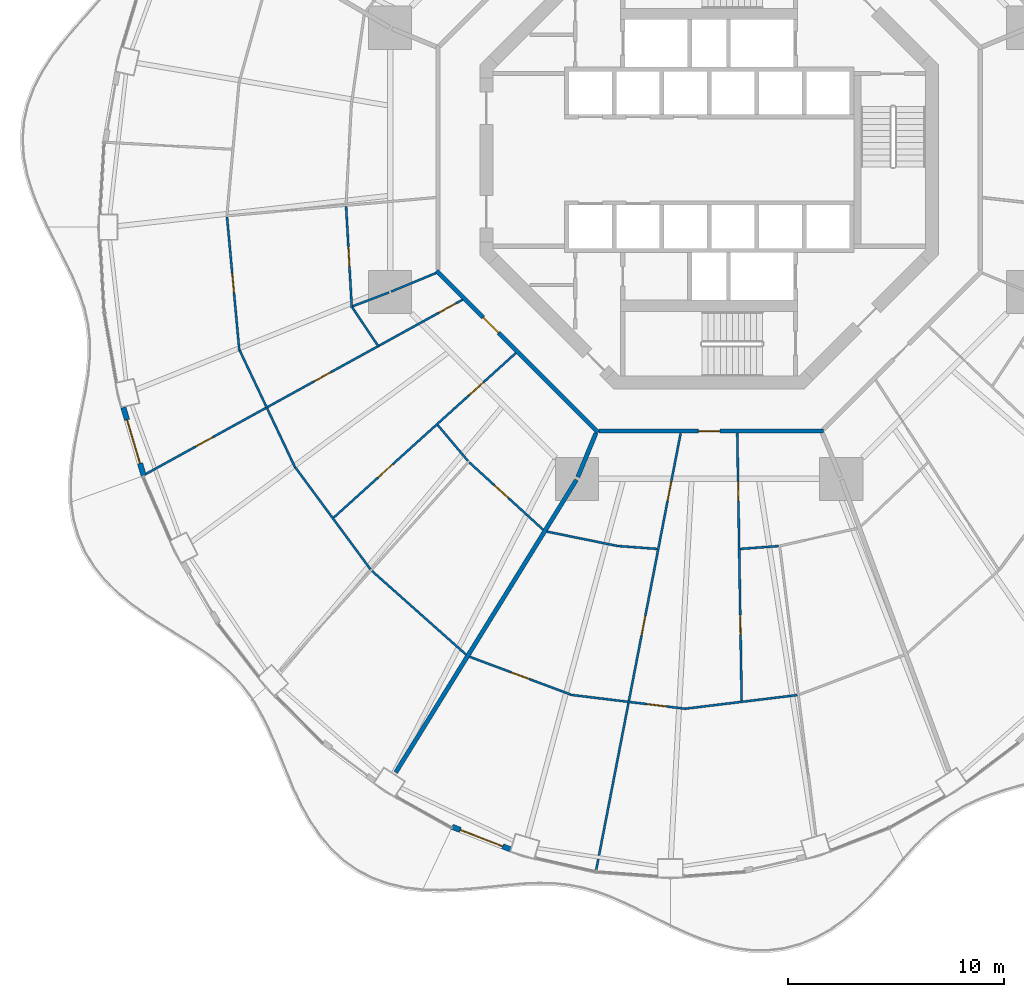
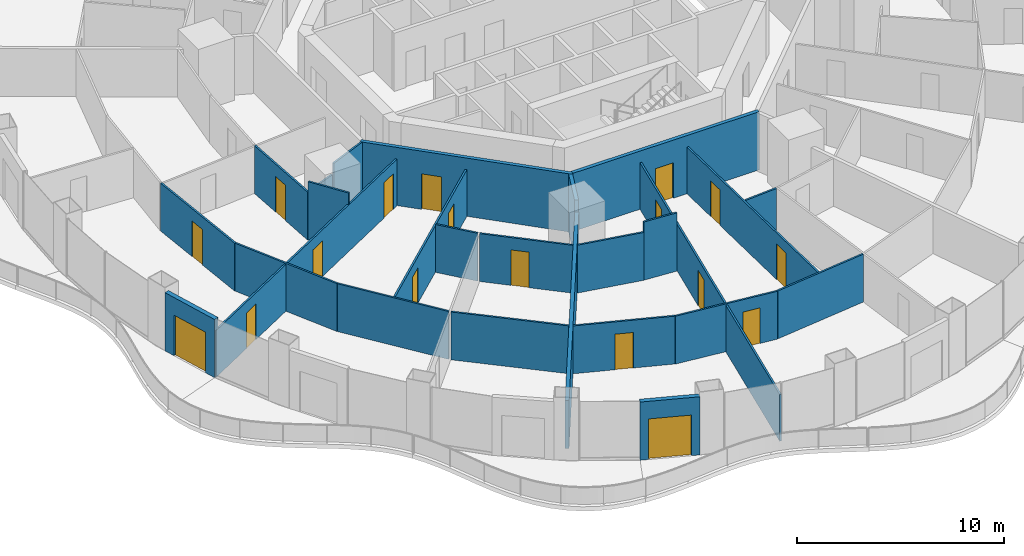
# One storey, part 12 of 20: 26 walls, 18 doors, 18 openings.
"""IFC4 building model written with IfcOpenShell, lengths in metres."""

from ifc_helpers import new_model, si_unit, direction, frame, frame_2d, origin, place, context, subcontext, project, spatial, rectangle, extrude, material, layer, layer_set, type_object, element, fill, save


model = new_model("IFC4")

# Units and contexts
model_context = context("Model", 3, precision=1e-05, world=origin(), true_north=direction((0.0, 1.0)))
body_context = subcontext(model_context, "Body", "Model", "MODEL_VIEW")
ifc_project = project(units=[si_unit("LENGTHUNIT", "METRE"), si_unit("AREAUNIT", "SQUARE_METRE"), si_unit("VOLUMEUNIT", "CUBIC_METRE"), si_unit("PLANEANGLEUNIT", "RADIAN"), si_unit("MASSUNIT", "GRAM", prefix="KILO")], contexts=[model_context])

# Site, building, storey
site_placement = place(None, origin())
site = spatial("IfcSite", under=ifc_project, at=site_placement, CompositionType="ELEMENT")
building_placement = place(site_placement, origin())
building = spatial("IfcBuilding", under=site, at=building_placement, Name="Nagisa Residences", CompositionType="ELEMENT")
storey_placement = place(building_placement, frame((0.0, 0.0, 130.699951171875)))
storey = spatial("IfcBuildingStorey", under=building, at=storey_placement, Name="L32", CompositionType="ELEMENT", Elevation=130.699951171875)

# Walls
ifc_material_1 = material(Name="Gypsum board on steel studs", Category="steel")
ifc_layer_1 = layer(ifc_material_1, 0.199951171875)
ifc_layer_set_1 = layer_set([ifc_layer_1], Name="Apartment compartment wall EI60 200")
wall_type_1 = type_object("IfcWallType", Name="Apartment compartment wall EI60 200", PredefinedType="PARTITIONING", material=ifc_layer_set_1)
wall_1_placement = place(storey_placement, frame((-5.24267578125, -12.6572265625, 0.0), z_axis=(0.0, 0.0, 1.0), x_axis=(-0.382818775282, -0.923823460025, 0.0)))
element("IfcWall", 1, at=wall_1_placement, inside=storey, type_object=wall_type_1, Name="wall:L32:u06", PredefinedType="PARTITIONING", context=body_context, shape_type="SweptSolid", body=[
    extrude(rectangle(XDim=2.200927734375, YDim=0.199951171875, at=frame_2d((1.1005859375, 0.0))), origin(), (0.0, 0.0, 1.0), 3.43994140625),
])
wall_2_placement = place(storey_placement, frame((-6.149169921875, -14.82470703125, 0.0), z_axis=(0.0, 0.0, 1.0), x_axis=(-0.525406383516, -0.85085141603, 0.0)))
element("IfcWall", 2, at=wall_2_placement, inside=storey, type_object=wall_type_1, Name="wall:L32:u07", PredefinedType="PARTITIONING", context=body_context, shape_type="SweptSolid", body=[
    extrude(rectangle(XDim=15.9248046875, YDim=0.199951171875, at=frame_2d((7.96240234375, 0.0))), origin(), (0.0, 0.0, 1.0), 2.828125),
])

# Wall, opening, door
ifc_material_2 = material(Name="Gypsum board on steel studs", Category="steel")
ifc_layer_2 = layer(ifc_material_2, 0.199951171875)
ifc_layer_set_2 = layer_set([ifc_layer_2], Name="Apartment entry wall EI60 200")
wall_type_2 = type_object("IfcWallType", Name="Apartment entry wall EI60 200", PredefinedType="PARTITIONING", material=ifc_layer_set_2)
wall_3_placement = place(storey_placement, frame((-12.635498046875, -5.1337890625, 0.0), z_axis=(0.0, 0.0, 1.0), x_axis=(0.707106781187, -0.707106781187, 0.0)))
wall_3 = element("IfcWall", 3, at=wall_3_placement, inside=storey, type_object=wall_type_2, Name="wall:L32:u15", PredefinedType="PARTITIONING", context=body_context, shape_type="SweptSolid", body=[
    extrude(rectangle(XDim=10.609130859375, YDim=0.199951171875, at=frame_2d((5.3046875, 0.0))), origin(), (0.0, 0.0, 1.0), 3.43994140625),
])
opening_1_placement = place(wall_3_placement, frame((3.069580078125, 0.0, 0.0)))
opening_1 = element("IfcOpeningElement", 4, at=opening_1_placement, cuts=wall_3, Name="Opening L32-U09", PredefinedType="OPENING", context=body_context, shape_type="SweptSolid", body=[
    extrude(rectangle(XDim=1.0, YDim=2.10009765625, at=frame_2d((0.5, 1.050048828125))), frame((0.0, 0.10986328125, 0.0), z_axis=(0.0, -1.0, 0.0), x_axis=(1.0, 0.0, 0.0)), (0.0, 0.0, 1.0), 0.219970703125),
])
ifc_material_3 = material(Name="Timber fire door set", Category="wood")
door_type_1 = type_object("IfcDoorType", Name="Apartment entry door FD30S 1000x2100", OperationType="NOTDEFINED", PredefinedType="DOOR", material=ifc_material_3)
door_1_placement = place(opening_1_placement, frame((1.0, 0.0, 0.0), x_axis=(-1.0, 0.0, 0.0)))
door_1 = element("IfcDoor", 5, at=door_1_placement, inside=storey, type_object=door_type_1, Name="Entry door, Apartment 32B", OperationType="SINGLE_SWING_RIGHT", OverallHeight=2.10009765625, OverallWidth=1.0, PredefinedType="DOOR", context=body_context, shape_type="SweptSolid", body=[
    extrude(rectangle(XDim=1.0, YDim=2.10009765625, at=frame_2d((0.5, 1.050048828125))), frame((0.0, 0.02490234375, 0.0), z_axis=(0.0, -1.0, 0.0), x_axis=(1.0, 0.0, 0.0)), (0.0, 0.0, 1.0), 0.050048828125),
])
fill(opening_1, door_1)

wall_4_placement = place(storey_placement, frame((-5.1044921875, -12.564697265625, 0.0), z_axis=(0.0, 0.0, 1.0), x_axis=(1.0, 0.0, 0.0)))
wall_4 = element("IfcWall", 6, at=wall_4_placement, inside=storey, type_object=wall_type_2, Name="wall:L32:u16", PredefinedType="PARTITIONING", context=body_context, shape_type="SweptSolid", body=[
    extrude(rectangle(XDim=10.408935546875, YDim=0.199951171875, at=frame_2d((5.20458984375, 0.0))), origin(), (0.0, 0.0, 1.0), 3.43994140625),
])
opening_2_placement = place(wall_4_placement, frame((4.6044921875, 0.0, 0.0)))
opening_2 = element("IfcOpeningElement", 7, at=opening_2_placement, cuts=wall_4, Name="Opening L32-U22", PredefinedType="OPENING", context=body_context, shape_type="SweptSolid", body=[
    extrude(rectangle(XDim=1.0, YDim=2.10009765625, at=frame_2d((0.5, 1.050048828125))), frame((0.0, 0.10986328125, 0.0), z_axis=(0.0, -1.0, 0.0), x_axis=(1.0, 0.0, 0.0)), (0.0, 0.0, 1.0), 0.219970703125),
])
door_2_placement = place(opening_2_placement, frame((1.0, 0.0, 0.0), x_axis=(-1.0, 0.0, 0.0)))
door_2 = element("IfcDoor", 8, at=door_2_placement, inside=storey, type_object=door_type_1, Name="Entry door, Apartment 32C", OperationType="SINGLE_SWING_LEFT", OverallHeight=2.10009765625, OverallWidth=1.0, PredefinedType="DOOR", context=body_context, shape_type="SweptSolid", body=[
    extrude(rectangle(XDim=1.0, YDim=2.10009765625, at=frame_2d((0.5, 1.050048828125))), frame((0.0, 0.02490234375, 0.0), z_axis=(0.0, -1.0, 0.0), x_axis=(1.0, 0.0, 0.0)), (0.0, 0.0, 1.0), 0.050048828125),
])
fill(opening_2, door_2)

ifc_material_4 = material(Name="Gypsum board on steel studs", Category="steel")
ifc_layer_3 = layer(ifc_material_4, 0.10009765625)
ifc_layer_set_3 = layer_set([ifc_layer_3], Name="Apartment partition 100")
wall_type_3 = type_object("IfcWallType", Name="Apartment partition 100", PredefinedType="PARTITIONING", material=ifc_layer_set_3)
wall_5_placement = place(storey_placement, frame((-16.81982421875, -2.158203125, 0.0), z_axis=(0.0, 0.0, 1.0), x_axis=(0.055967931845, -0.998432566879, 0.0)))
wall_5 = element("IfcWall", 9, at=wall_5_placement, inside=storey, type_object=wall_type_3, Name="wall:L32:u57", PredefinedType="PARTITIONING", context=body_context, shape_type="SweptSolid", body=[
    extrude(rectangle(XDim=4.697998046875, YDim=0.10009765625, at=frame_2d((2.34912109375, 0.0))), origin(), (0.0, 0.0, 1.0), 2.828125),
])
opening_3_placement = place(wall_5_placement, frame((1.8740234375, 0.0, 0.0)))
opening_3 = element("IfcOpeningElement", 10, at=opening_3_placement, cuts=wall_5, Name="Opening L32-U18", PredefinedType="OPENING", context=body_context, shape_type="SweptSolid", body=[
    extrude(rectangle(XDim=0.89990234375, YDim=2.10009765625, at=frame_2d((0.449951171875, 1.050048828125))), frame((0.0, 0.06005859375, 0.0), z_axis=(0.0, -1.0, 0.0), x_axis=(1.0, 0.0, 0.0)), (0.0, 0.0, 1.0), 0.1201171875),
])
ifc_material_5 = material(Name="Timber door set", Category="wood")
door_type_2 = type_object("IfcDoorType", Name="Apartment door 900x2100", OperationType="NOTDEFINED", PredefinedType="DOOR", material=ifc_material_5)
door_3_placement = place(opening_3_placement, origin())
door_3 = element("IfcDoor", 11, at=door_3_placement, inside=storey, type_object=door_type_2, Name="Door to store, Apartment 32B", OperationType="SINGLE_SWING_RIGHT", OverallHeight=2.10009765625, OverallWidth=0.89990234375, PredefinedType="DOOR", context=body_context, shape_type="SweptSolid", body=[
    extrude(rectangle(XDim=0.89990234375, YDim=2.10009765625, at=frame_2d((0.449951171875, 1.050048828125))), frame((0.0, 0.02490234375, 0.0), z_axis=(0.0, -1.0, 0.0), x_axis=(1.0, 0.0, 0.0)), (0.0, 0.0, 1.0), 0.050048828125),
])
fill(opening_3, door_3)

wall_6_placement = place(storey_placement, frame((-22.337646484375, -2.64208984375, 0.0), z_axis=(0.0, 0.0, 1.0), x_axis=(0.091768304523, -0.995780386574, 0.0)))
wall_6 = element("IfcWall", 12, at=wall_6_placement, inside=storey, type_object=wall_type_3, Name="wall:L32:u58", PredefinedType="PARTITIONING", context=body_context, shape_type="SweptSolid", body=[
    extrude(rectangle(XDim=6.214599609375, YDim=0.10009765625, at=frame_2d((3.107421875, 0.0))), origin(), (0.0, 0.0, 1.0), 2.828125),
])
opening_4_placement = place(wall_6_placement, frame((2.63232421875, 0.0, 0.0)))
opening_4 = element("IfcOpeningElement", 13, at=opening_4_placement, cuts=wall_6, Name="Opening L32-U15", PredefinedType="OPENING", context=body_context, shape_type="SweptSolid", body=[
    extrude(rectangle(XDim=0.89990234375, YDim=2.10009765625, at=frame_2d((0.449951171875, 1.050048828125))), frame((0.0, 0.06005859375, 0.0), z_axis=(0.0, -1.0, 0.0), x_axis=(1.0, 0.0, 0.0)), (0.0, 0.0, 1.0), 0.1201171875),
])
door_4_placement = place(opening_4_placement, frame((0.89990234375, 0.0, 0.0), x_axis=(-1.0, 0.0, 0.0)))
door_4 = element("IfcDoor", 14, at=door_4_placement, inside=storey, type_object=door_type_2, Name="Door to family room, Apartment 32B", OperationType="SINGLE_SWING_RIGHT", OverallHeight=2.10009765625, OverallWidth=0.89990234375, PredefinedType="DOOR", context=body_context, shape_type="SweptSolid", body=[
    extrude(rectangle(XDim=0.89990234375, YDim=2.10009765625, at=frame_2d((0.449951171875, 1.050048828125))), frame((0.0, 0.02490234375, 0.0), z_axis=(0.0, -1.0, 0.0), x_axis=(1.0, 0.0, 0.0)), (0.0, 0.0, 1.0), 0.050048828125),
])
fill(opening_4, door_4)

# Walls
wall_7_placement = place(storey_placement, frame((-12.6572265625, -5.24267578125, 0.0), z_axis=(0.0, 0.0, 1.0), x_axis=(-0.923864733477, -0.382719158442, 0.0)))
element("IfcWall", 15, at=wall_7_placement, inside=storey, type_object=wall_type_3, Name="wall:L32:u59", PredefinedType="PARTITIONING", context=body_context, shape_type="SweptSolid", body=[
    extrude(rectangle(XDim=2.25, YDim=0.10009765625, at=frame_2d((1.125, 0.0))), origin(), (0.0, 0.0, 1.0), 3.43994140625),
])
wall_8_placement = place(storey_placement, frame((-14.828857421875, -6.140625, 0.0), z_axis=(0.0, 0.0, 1.0), x_axis=(-0.934704367514, -0.355426146128, 0.0)))
element("IfcWall", 16, at=wall_8_placement, inside=storey, type_object=wall_type_3, Name="wall:L32:u60", PredefinedType="PARTITIONING", context=body_context, shape_type="SweptSolid", body=[
    extrude(rectangle(XDim=1.8017578125, YDim=0.10009765625, at=frame_2d((0.90087890625, 0.0))), origin(), (0.0, 0.0, 1.0), 2.828125),
])
wall_9_placement = place(storey_placement, frame((-16.53173828125, -6.84033203125, 0.0), z_axis=(0.0, 0.0, 1.0), x_axis=(0.556994773624, -0.830515997531, 0.0)))
element("IfcWall", 17, at=wall_9_placement, inside=storey, type_object=wall_type_3, Name="wall:L32:u61", PredefinedType="PARTITIONING", context=body_context, shape_type="SweptSolid", body=[
    extrude(rectangle(XDim=2.183349609375, YDim=0.10009765625, at=frame_2d((1.091796875, 0.0))), origin(), (0.0, 0.0, 1.0), 3.43994140625),
])
wall_10_placement = place(storey_placement, frame((-21.75048828125, -8.826171875, 0.0), z_axis=(0.0, 0.0, 1.0), x_axis=(0.427736419988, -0.903903509793, 0.0)))
element("IfcWall", 18, at=wall_10_placement, inside=storey, type_object=wall_type_3, Name="wall:L32:u62", PredefinedType="PARTITIONING", context=body_context, shape_type="SweptSolid", body=[
    extrude(rectangle(XDim=5.998779296875, YDim=0.10009765625, at=frame_2d((2.99951171875, 0.0))), origin(), (0.0, 0.0, 1.0), 2.828125),
])

# Wall, openings, doors
wall_11_placement = place(storey_placement, frame((-11.42578125, -6.4794921875, 0.0), z_axis=(0.0, 0.0, 1.0), x_axis=(-0.876110392495, -0.482110547657, 0.0)))
wall_11 = element("IfcWall", 19, at=wall_11_placement, inside=storey, type_object=wall_type_3, Name="wall:L32:u63", PredefinedType="PARTITIONING", context=body_context, shape_type="SweptSolid", body=[
    extrude(rectangle(XDim=16.954833984375, YDim=0.10009765625, at=frame_2d((8.4775390625, 0.0))), origin(), (0.0, 0.0, 1.0), 2.756103515625),
])
opening_5_placement = place(wall_11_placement, frame((0.35009765625, 0.0, 0.0)))
opening_5 = element("IfcOpeningElement", 20, at=opening_5_placement, cuts=wall_11, Name="Opening L32-U10", PredefinedType="OPENING", context=body_context, shape_type="SweptSolid", body=[
    extrude(rectangle(XDim=0.89990234375, YDim=2.10009765625, at=frame_2d((0.449951171875, 1.050048828125))), frame((0.0, 0.06005859375, 0.0), z_axis=(0.0, -1.0, 0.0), x_axis=(1.0, 0.0, 0.0)), (0.0, 0.0, 1.0), 0.1201171875),
])
opening_6_placement = place(wall_11_placement, frame((6.956787109375, 0.0, 0.0)))
opening_6 = element("IfcOpeningElement", 21, at=opening_6_placement, cuts=wall_11, Name="Opening L32-U12", PredefinedType="OPENING", context=body_context, shape_type="SweptSolid", body=[
    extrude(rectangle(XDim=0.89990234375, YDim=2.10009765625, at=frame_2d((0.449951171875, 1.050048828125))), frame((0.0, 0.06005859375, 0.0), z_axis=(0.0, -1.0, 0.0), x_axis=(1.0, 0.0, 0.0)), (0.0, 0.0, 1.0), 0.1201171875),
])
opening_7_placement = place(wall_11_placement, frame((13.2060546875, 0.0, 0.0)))
opening_7 = element("IfcOpeningElement", 22, at=opening_7_placement, cuts=wall_11, Name="Opening L32-U16", PredefinedType="OPENING", context=body_context, shape_type="SweptSolid", body=[
    extrude(rectangle(XDim=0.89990234375, YDim=2.10009765625, at=frame_2d((0.449951171875, 1.050048828125))), frame((0.0, 0.06005859375, 0.0), z_axis=(0.0, -1.0, 0.0), x_axis=(1.0, 0.0, 0.0)), (0.0, 0.0, 1.0), 0.1201171875),
])
door_5_placement = place(opening_5_placement, frame((0.89990234375, 0.0, 0.0), x_axis=(-1.0, 0.0, 0.0)))
door_5 = element("IfcDoor", 23, at=door_5_placement, inside=storey, type_object=door_type_2, Name="Door to family bathroom, Apartment 32B", OperationType="SINGLE_SWING_LEFT", OverallHeight=2.10009765625, OverallWidth=0.89990234375, PredefinedType="DOOR", context=body_context, shape_type="SweptSolid", body=[
    extrude(rectangle(XDim=0.89990234375, YDim=2.10009765625, at=frame_2d((0.449951171875, 1.050048828125))), frame((0.0, 0.02490234375, 0.0), z_axis=(0.0, -1.0, 0.0), x_axis=(1.0, 0.0, 0.0)), (0.0, 0.0, 1.0), 0.050048828125),
])
fill(opening_5, door_5)
door_6_placement = place(opening_6_placement, frame((0.89990234375, 0.0, 0.0), x_axis=(-1.0, 0.0, 0.0)))
door_6 = element("IfcDoor", 24, at=door_6_placement, inside=storey, type_object=door_type_2, Name="Door to kitchen, Apartment 32B", OperationType="SINGLE_SWING_LEFT", OverallHeight=2.10009765625, OverallWidth=0.89990234375, PredefinedType="DOOR", context=body_context, shape_type="SweptSolid", body=[
    extrude(rectangle(XDim=0.89990234375, YDim=2.10009765625, at=frame_2d((0.449951171875, 1.050048828125))), frame((0.0, 0.02490234375, 0.0), z_axis=(0.0, -1.0, 0.0), x_axis=(1.0, 0.0, 0.0)), (0.0, 0.0, 1.0), 0.050048828125),
])
fill(opening_6, door_6)
door_7_placement = place(opening_7_placement, origin())
door_7 = element("IfcDoor", 25, at=door_7_placement, inside=storey, type_object=door_type_2, Name="Door to dining room, Apartment 32B", OperationType="SINGLE_SWING_RIGHT", OverallHeight=2.10009765625, OverallWidth=0.89990234375, PredefinedType="DOOR", context=body_context, shape_type="SweptSolid", body=[
    extrude(rectangle(XDim=0.89990234375, YDim=2.10009765625, at=frame_2d((0.449951171875, 1.050048828125))), frame((0.0, 0.02490234375, 0.0), z_axis=(0.0, -1.0, 0.0), x_axis=(1.0, 0.0, 0.0)), (0.0, 0.0, 1.0), 0.050048828125),
])
fill(opening_7, door_7)

# Wall
wall_12_placement = place(storey_placement, frame((-19.17626953125, -14.24365234375, 0.0), z_axis=(0.0, 0.0, 1.0), x_axis=(0.593532053206, -0.80481035146, 0.0)))
element("IfcWall", 26, at=wall_12_placement, inside=storey, type_object=wall_type_3, Name="wall:L32:u64", PredefinedType="PARTITIONING", context=body_context, shape_type="SweptSolid", body=[
    extrude(rectangle(XDim=5.8759765625, YDim=0.10009765625, at=frame_2d((2.93798828125, 0.0))), origin(), (0.0, 0.0, 1.0), 2.828125),
])

# Wall, openings, doors
wall_13_placement = place(storey_placement, frame((-8.958740234375, -8.95166015625, 0.0), z_axis=(0.0, 0.0, 1.0), x_axis=(-0.741982736283, -0.670418987692, 0.0)))
wall_13 = element("IfcWall", 27, at=wall_13_placement, inside=storey, type_object=wall_type_3, Name="wall:L32:u65", PredefinedType="PARTITIONING", context=body_context, shape_type="SweptSolid", body=[
    extrude(rectangle(XDim=11.37060546875, YDim=0.10009765625, at=frame_2d((5.685302734375, 0.0))), origin(), (0.0, 0.0, 1.0), 2.756103515625),
])
opening_8_placement = place(wall_13_placement, frame((2.008544921875, 0.0, 0.0)))
opening_8 = element("IfcOpeningElement", 28, at=opening_8_placement, cuts=wall_13, Name="Opening L32-U11", PredefinedType="OPENING", context=body_context, shape_type="SweptSolid", body=[
    extrude(rectangle(XDim=0.89990234375, YDim=2.10009765625, at=frame_2d((0.449951171875, 1.050048828125))), frame((0.0, 0.06005859375, 0.0), z_axis=(0.0, -1.0, 0.0), x_axis=(1.0, 0.0, 0.0)), (0.0, 0.0, 1.0), 0.1201171875),
])
opening_9_placement = place(wall_13_placement, frame((7.693603515625, 0.0, 0.0)))
opening_9 = element("IfcOpeningElement", 29, at=opening_9_placement, cuts=wall_13, Name="Opening L32-U13", PredefinedType="OPENING", context=body_context, shape_type="SweptSolid", body=[
    extrude(rectangle(XDim=0.89990234375, YDim=2.10009765625, at=frame_2d((0.449951171875, 1.050048828125))), frame((0.0, 0.06005859375, 0.0), z_axis=(0.0, -1.0, 0.0), x_axis=(1.0, 0.0, 0.0)), (0.0, 0.0, 1.0), 0.1201171875),
])
door_8_placement = place(opening_8_placement, origin())
door_8 = element("IfcDoor", 30, at=door_8_placement, inside=storey, type_object=door_type_2, Name="Door to store, Apartment 32B", OperationType="SINGLE_SWING_LEFT", OverallHeight=2.10009765625, OverallWidth=0.89990234375, PredefinedType="DOOR", context=body_context, shape_type="SweptSolid", body=[
    extrude(rectangle(XDim=0.89990234375, YDim=2.10009765625, at=frame_2d((0.449951171875, 1.050048828125))), frame((0.0, 0.02490234375, 0.0), z_axis=(0.0, -1.0, 0.0), x_axis=(1.0, 0.0, 0.0)), (0.0, 0.0, 1.0), 0.050048828125),
])
fill(opening_8, door_8)
door_9_placement = place(opening_9_placement, origin())
door_9 = element("IfcDoor", 31, at=door_9_placement, inside=storey, type_object=door_type_2, Name="Door to family bathroom, Apartment 32B", OperationType="SINGLE_SWING_LEFT", OverallHeight=2.10009765625, OverallWidth=0.89990234375, PredefinedType="DOOR", context=body_context, shape_type="SweptSolid", body=[
    extrude(rectangle(XDim=0.89990234375, YDim=2.10009765625, at=frame_2d((0.449951171875, 1.050048828125))), frame((0.0, 0.02490234375, 0.0), z_axis=(0.0, -1.0, 0.0), x_axis=(1.0, 0.0, 0.0)), (0.0, 0.0, 1.0), 0.050048828125),
])
fill(opening_9, door_9)

# Wall
wall_14_placement = place(storey_placement, frame((-12.574951171875, -12.286376953125, 0.0), z_axis=(0.0, 0.0, 1.0), x_axis=(0.644052758448, -0.764981074495, 0.0)))
element("IfcWall", 32, at=wall_14_placement, inside=storey, type_object=wall_type_3, Name="wall:L32:u66", PredefinedType="PARTITIONING", context=body_context, shape_type="SweptSolid", body=[
    extrude(rectangle(XDim=2.17431640625, YDim=0.10009765625, at=frame_2d((1.087158203125, 0.0))), origin(), (0.0, 0.0, 1.0), 2.828125),
])

# Wall, opening, door
wall_15_placement = place(storey_placement, frame((-11.10546875, -14.021484375, 0.0), z_axis=(0.0, 0.0, 1.0), x_axis=(0.738880014758, -0.673837015747, 0.0)))
wall_15 = element("IfcWall", 33, at=wall_15_placement, inside=storey, type_object=wall_type_3, Name="wall:L32:u68", PredefinedType="PARTITIONING", context=body_context, shape_type="SweptSolid", body=[
    extrude(rectangle(XDim=4.62060546875, YDim=0.10009765625, at=frame_2d((2.310302734375, 0.0))), origin(), (0.0, 0.0, 1.0), 2.828125),
])
opening_10_placement = place(wall_15_placement, frame((1.55810546875, 0.0, 0.0)))
opening_10 = element("IfcOpeningElement", 34, at=opening_10_placement, cuts=wall_15, Name="Opening L32-U14", PredefinedType="OPENING", context=body_context, shape_type="SweptSolid", body=[
    extrude(rectangle(XDim=0.89990234375, YDim=2.10009765625, at=frame_2d((0.449951171875, 1.050048828125))), frame((0.0, 0.06005859375, 0.0), z_axis=(0.0, -1.0, 0.0), x_axis=(1.0, 0.0, 0.0)), (0.0, 0.0, 1.0), 0.1201171875),
])
door_10_placement = place(opening_10_placement, frame((0.89990234375, 0.0, 0.0), x_axis=(-1.0, 0.0, 0.0)))
door_10 = element("IfcDoor", 35, at=door_10_placement, inside=storey, type_object=door_type_2, Name="Door to dining room, Apartment 32B", OperationType="SINGLE_SWING_LEFT", OverallHeight=2.10009765625, OverallWidth=0.89990234375, PredefinedType="DOOR", context=body_context, shape_type="SweptSolid", body=[
    extrude(rectangle(XDim=0.89990234375, YDim=2.10009765625, at=frame_2d((0.449951171875, 1.050048828125))), frame((0.0, 0.02490234375, 0.0), z_axis=(0.0, -1.0, 0.0), x_axis=(1.0, 0.0, 0.0)), (0.0, 0.0, 1.0), 0.050048828125),
])
fill(opening_10, door_10)

# Walls
wall_16_placement = place(storey_placement, frame((-15.621826171875, -19.046142578125, 0.0), z_axis=(0.0, 0.0, 1.0), x_axis=(0.747342322463, -0.664439201925, 0.0)))
element("IfcWall", 36, at=wall_16_placement, inside=storey, type_object=wall_type_3, Name="wall:L32:u69", PredefinedType="PARTITIONING", context=body_context, shape_type="SweptSolid", body=[
    extrude(rectangle(XDim=5.830810546875, YDim=0.10009765625, at=frame_2d((2.91552734375, 0.0))), origin(), (0.0, 0.0, 1.0), 2.828125),
])
wall_17_placement = place(storey_placement, frame((-7.51953125, -17.222412109375, 0.0), z_axis=(0.0, 0.0, 1.0), x_axis=(0.979964966792, -0.199169937141, 0.0)))
element("IfcWall", 37, at=wall_17_placement, inside=storey, type_object=wall_type_3, Name="wall:L32:u70", PredefinedType="PARTITIONING", context=body_context, shape_type="SweptSolid", body=[
    extrude(rectangle(XDim=3.396728515625, YDim=0.10009765625, at=frame_2d((1.6982421875, 0.0))), origin(), (0.0, 0.0, 1.0), 2.828125),
])

# Wall, opening, door
wall_18_placement = place(storey_placement, frame((-11.095703125, -23.02197265625, 0.0), z_axis=(0.0, 0.0, 1.0), x_axis=(0.936725688471, -0.350064257758, 0.0)))
wall_18 = element("IfcWall", 38, at=wall_18_placement, inside=storey, type_object=wall_type_3, Name="wall:L32:u71", PredefinedType="PARTITIONING", context=body_context, shape_type="SweptSolid", body=[
    extrude(rectangle(XDim=5.002685546875, YDim=0.10009765625, at=frame_2d((2.50146484375, 0.0))), origin(), (0.0, 0.0, 1.0), 2.828125),
])
opening_11_placement = place(wall_18_placement, frame((2.05126953125, 0.0, 0.0)))
opening_11 = element("IfcOpeningElement", 39, at=opening_11_placement, cuts=wall_18, Name="Opening L32-U28", PredefinedType="OPENING", context=body_context, shape_type="SweptSolid", body=[
    extrude(rectangle(XDim=0.89990234375, YDim=2.10009765625, at=frame_2d((0.449951171875, 1.050048828125))), frame((0.0, 0.06005859375, 0.0), z_axis=(0.0, -1.0, 0.0), x_axis=(1.0, 0.0, 0.0)), (0.0, 0.0, 1.0), 0.1201171875),
])
door_11_placement = place(opening_11_placement, frame((0.89990234375, 0.0, 0.0), x_axis=(-1.0, 0.0, 0.0)))
door_11 = element("IfcDoor", 40, at=door_11_placement, inside=storey, type_object=door_type_2, Name="Door to dining room, Apartment 32C", OperationType="SINGLE_SWING_LEFT", OverallHeight=2.10009765625, OverallWidth=0.89990234375, PredefinedType="DOOR", context=body_context, shape_type="SweptSolid", body=[
    extrude(rectangle(XDim=0.89990234375, YDim=2.10009765625, at=frame_2d((0.449951171875, 1.050048828125))), frame((0.0, 0.02490234375, 0.0), z_axis=(0.0, -1.0, 0.0), x_axis=(1.0, 0.0, 0.0)), (0.0, 0.0, 1.0), 0.050048828125),
])
fill(opening_11, door_11)

# Wall
wall_19_placement = place(storey_placement, frame((-4.190185546875, -17.892578125, 0.0), z_axis=(0.0, 0.0, 1.0), x_axis=(0.99727037024, -0.07383636395, 0.0)))
element("IfcWall", 41, at=wall_19_placement, inside=storey, type_object=wall_type_3, Name="wall:L32:u72", PredefinedType="PARTITIONING", context=body_context, shape_type="SweptSolid", body=[
    extrude(rectangle(XDim=1.7822265625, YDim=0.10009765625, at=frame_2d((0.89111328125, 0.0))), origin(), (0.0, 0.0, 1.0), 3.43994140625),
])

# Wall, opening, door
wall_20_placement = place(storey_placement, frame((-6.41259765625, -24.784423828125, 0.0), z_axis=(0.0, 0.0, 1.0), x_axis=(0.99268660964, -0.120719903255, 0.0)))
wall_20 = element("IfcWall", 42, at=wall_20_placement, inside=storey, type_object=wall_type_3, Name="wall:L32:u73", PredefinedType="PARTITIONING", context=body_context, shape_type="SweptSolid", body=[
    extrude(rectangle(XDim=5.385498046875, YDim=0.10009765625, at=frame_2d((2.69287109375, 0.0))), origin(), (0.0, 0.0, 1.0), 2.828125),
])
opening_12_placement = place(wall_20_placement, frame((3.564208984375, 0.0, 0.0)))
opening_12 = element("IfcOpeningElement", 43, at=opening_12_placement, cuts=wall_20, Name="Opening L32-U29", PredefinedType="OPENING", context=body_context, shape_type="SweptSolid", body=[
    extrude(rectangle(XDim=0.89990234375, YDim=2.10009765625, at=frame_2d((0.449951171875, 1.050048828125))), frame((0.0, 0.06005859375, 0.0), z_axis=(0.0, -1.0, 0.0), x_axis=(1.0, 0.0, 0.0)), (0.0, 0.0, 1.0), 0.1201171875),
])
door_12_placement = place(opening_12_placement, frame((0.89990234375, 0.0, 0.0), x_axis=(-1.0, 0.0, 0.0)))
door_12 = element("IfcDoor", 44, at=door_12_placement, inside=storey, type_object=door_type_2, Name="Door to living room, Apartment 32C", OperationType="SINGLE_SWING_RIGHT", OverallHeight=2.10009765625, OverallWidth=0.89990234375, PredefinedType="DOOR", context=body_context, shape_type="SweptSolid", body=[
    extrude(rectangle(XDim=0.89990234375, YDim=2.10009765625, at=frame_2d((0.449951171875, 1.050048828125))), frame((0.0, 0.02490234375, 0.0), z_axis=(0.0, -1.0, 0.0), x_axis=(1.0, 0.0, 0.0)), (0.0, 0.0, 1.0), 0.050048828125),
])
fill(opening_12, door_12)

# Wall, openings, doors
wall_21_placement = place(storey_placement, frame((-1.320068359375, -12.662841796875, 0.0), z_axis=(0.0, 0.0, 1.0), x_axis=(-0.189865535907, -0.98181010296, 0.0)))
wall_21 = element("IfcWall", 45, at=wall_21_placement, inside=storey, type_object=wall_type_3, Name="wall:L32:u74", PredefinedType="PARTITIONING", context=body_context, shape_type="SweptSolid", body=[
    extrude(rectangle(XDim=20.729248046875, YDim=0.10009765625, at=frame_2d((10.36474609375, 0.0))), origin(), (0.0, 0.0, 1.0), 2.756103515625),
])
opening_13_placement = place(wall_21_placement, frame((2.28271484375, 0.0, 0.0)))
opening_13 = element("IfcOpeningElement", 46, at=opening_13_placement, cuts=wall_21, Name="Opening L32-U23", PredefinedType="OPENING", context=body_context, shape_type="SweptSolid", body=[
    extrude(rectangle(XDim=0.89990234375, YDim=2.10009765625, at=frame_2d((0.449951171875, 1.050048828125))), frame((0.0, 0.06005859375, 0.0), z_axis=(0.0, -1.0, 0.0), x_axis=(1.0, 0.0, 0.0)), (0.0, 0.0, 1.0), 0.1201171875),
])
opening_14_placement = place(wall_21_placement, frame((8.622314453125, 0.0, 0.0)))
opening_14 = element("IfcOpeningElement", 47, at=opening_14_placement, cuts=wall_21, Name="Opening L32-U25", PredefinedType="OPENING", context=body_context, shape_type="SweptSolid", body=[
    extrude(rectangle(XDim=0.89990234375, YDim=2.10009765625, at=frame_2d((0.449951171875, 1.050048828125))), frame((0.0, 0.06005859375, 0.0), z_axis=(0.0, -1.0, 0.0), x_axis=(1.0, 0.0, 0.0)), (0.0, 0.0, 1.0), 0.1201171875),
])
door_13_placement = place(opening_13_placement, frame((0.89990234375, 0.0, 0.0), x_axis=(-1.0, 0.0, 0.0)))
door_13 = element("IfcDoor", 48, at=door_13_placement, inside=storey, type_object=door_type_2, Name="Door to store, Apartment 32C", OperationType="SINGLE_SWING_RIGHT", OverallHeight=2.10009765625, OverallWidth=0.89990234375, PredefinedType="DOOR", context=body_context, shape_type="SweptSolid", body=[
    extrude(rectangle(XDim=0.89990234375, YDim=2.10009765625, at=frame_2d((0.449951171875, 1.050048828125))), frame((0.0, 0.02490234375, 0.0), z_axis=(0.0, -1.0, 0.0), x_axis=(1.0, 0.0, 0.0)), (0.0, 0.0, 1.0), 0.050048828125),
])
fill(opening_13, door_13)
door_14_placement = place(opening_14_placement, frame((0.89990234375, 0.0, 0.0), x_axis=(-1.0, 0.0, 0.0)))
door_14 = element("IfcDoor", 49, at=door_14_placement, inside=storey, type_object=door_type_2, Name="Door to kitchen, Apartment 32C", OperationType="SINGLE_SWING_RIGHT", OverallHeight=2.10009765625, OverallWidth=0.89990234375, PredefinedType="DOOR", context=body_context, shape_type="SweptSolid", body=[
    extrude(rectangle(XDim=0.89990234375, YDim=2.10009765625, at=frame_2d((0.449951171875, 1.050048828125))), frame((0.0, 0.02490234375, 0.0), z_axis=(0.0, -1.0, 0.0), x_axis=(1.0, 0.0, 0.0)), (0.0, 0.0, 1.0), 0.050048828125),
])
fill(opening_14, door_14)

# Wall
wall_22_placement = place(storey_placement, frame((-1.06640625, -25.42236328125, 0.0), z_axis=(0.0, 0.0, 1.0), x_axis=(0.992692993044, 0.120667400577, 0.0)))
element("IfcWall", 50, at=wall_22_placement, inside=storey, type_object=wall_type_3, Name="wall:L32:u75", PredefinedType="PARTITIONING", context=body_context, shape_type="SweptSolid", body=[
    extrude(rectangle(XDim=5.185546875, YDim=0.10009765625, at=frame_2d((2.5927734375, 0.0))), origin(), (0.0, 0.0, 1.0), 2.828125),
])

# Wall, openings, doors
wall_23_placement = place(storey_placement, frame((1.302734375, -12.664794921875, 0.0), z_axis=(0.0, 0.0, 1.0), x_axis=(0.016444820401, -0.999864774798, 0.0)))
wall_23 = element("IfcWall", 51, at=wall_23_placement, inside=storey, type_object=wall_type_3, Name="wall:L32:u76", PredefinedType="PARTITIONING", context=body_context, shape_type="SweptSolid", body=[
    extrude(rectangle(XDim=12.396484375, YDim=0.10009765625, at=frame_2d((6.1982421875, 0.0))), origin(), (0.0, 0.0, 1.0), 2.756103515625),
])
opening_15_placement = place(wall_23_placement, frame((2.23193359375, 0.0, 0.0)))
opening_15 = element("IfcOpeningElement", 52, at=opening_15_placement, cuts=wall_23, Name="Opening L32-U24", PredefinedType="OPENING", context=body_context, shape_type="SweptSolid", body=[
    extrude(rectangle(XDim=0.89990234375, YDim=2.10009765625, at=frame_2d((0.449951171875, 1.050048828125))), frame((0.0, 0.06005859375, 0.0), z_axis=(0.0, -1.0, 0.0), x_axis=(1.0, 0.0, 0.0)), (0.0, 0.0, 1.0), 0.1201171875),
])
opening_16_placement = place(wall_23_placement, frame((8.43017578125, 0.0, 0.0)))
opening_16 = element("IfcOpeningElement", 53, at=opening_16_placement, cuts=wall_23, Name="Opening L32-U26", PredefinedType="OPENING", context=body_context, shape_type="SweptSolid", body=[
    extrude(rectangle(XDim=0.89990234375, YDim=2.10009765625, at=frame_2d((0.449951171875, 1.050048828125))), frame((0.0, 0.06005859375, 0.0), z_axis=(0.0, -1.0, 0.0), x_axis=(1.0, 0.0, 0.0)), (0.0, 0.0, 1.0), 0.1201171875),
])
door_15_placement = place(opening_15_placement, origin())
door_15 = element("IfcDoor", 54, at=door_15_placement, inside=storey, type_object=door_type_2, Name="Door to laundry, Apartment 32C", OperationType="SINGLE_SWING_RIGHT", OverallHeight=2.10009765625, OverallWidth=0.89990234375, PredefinedType="DOOR", context=body_context, shape_type="SweptSolid", body=[
    extrude(rectangle(XDim=0.89990234375, YDim=2.10009765625, at=frame_2d((0.449951171875, 1.050048828125))), frame((0.0, 0.02490234375, 0.0), z_axis=(0.0, -1.0, 0.0), x_axis=(1.0, 0.0, 0.0)), (0.0, 0.0, 1.0), 0.050048828125),
])
fill(opening_15, door_15)
door_16_placement = place(opening_16_placement, origin())
door_16 = element("IfcDoor", 55, at=door_16_placement, inside=storey, type_object=door_type_2, Name="Door to family bathroom, Apartment 32C", OperationType="SINGLE_SWING_RIGHT", OverallHeight=2.10009765625, OverallWidth=0.89990234375, PredefinedType="DOOR", context=body_context, shape_type="SweptSolid", body=[
    extrude(rectangle(XDim=0.89990234375, YDim=2.10009765625, at=frame_2d((0.449951171875, 1.050048828125))), frame((0.0, 0.02490234375, 0.0), z_axis=(0.0, -1.0, 0.0), x_axis=(1.0, 0.0, 0.0)), (0.0, 0.0, 1.0), 0.050048828125),
])
fill(opening_16, door_16)

# Wall
wall_24_placement = place(storey_placement, frame((1.44091796875, -18.024169921875, 0.0), z_axis=(0.0, 0.0, 1.0), x_axis=(0.997269623256, 0.073846452388, 0.0)))
element("IfcWall", 56, at=wall_24_placement, inside=storey, type_object=wall_type_3, Name="wall:L32:u77", PredefinedType="PARTITIONING", context=body_context, shape_type="SweptSolid", body=[
    extrude(rectangle(XDim=1.781982421875, YDim=0.10009765625, at=frame_2d((0.89111328125, 0.0))), origin(), (0.0, 0.0, 1.0), 2.828125),
])

# Wall, opening, door
ifc_material_6 = material(Name="Precast concrete C40/50", Category="concrete")
ifc_layer_4 = layer(ifc_material_6, 0.25)
ifc_layer_set_4 = layer_set([ifc_layer_4], Name="BALCONY DOOR WALL 250")
wall_type_4 = type_object("IfcWallType", Name="BALCONY DOOR WALL 250", PredefinedType="SOLIDWALL", material=ifc_layer_set_4)
wall_25_placement = place(storey_placement, frame((-26.1953125, -14.63720703125, 0.0), z_axis=(0.0, 0.0, 1.0), x_axis=(-0.285889665412, 0.958262541901, 0.0)))
wall_25 = element("IfcWall", 57, at=wall_25_placement, inside=storey, type_object=wall_type_4, Name="wall:L32:bay26", PredefinedType="SOLIDWALL", context=body_context, shape_type="SweptSolid", body=[
    extrude(rectangle(XDim=3.30322265625, YDim=0.25, at=frame_2d((1.651611328125, 0.0))), origin(), (0.0, 0.0, 1.0), 3.43994140625),
])
opening_17_placement = place(wall_25_placement, frame((0.6015625, 0.0, 0.0)))
opening_17 = element("IfcOpeningElement", 58, at=opening_17_placement, cuts=wall_25, Name="Opening BD-L32-09", PredefinedType="OPENING", context=body_context, shape_type="SweptSolid", body=[
    extrude(rectangle(XDim=2.10009765625, YDim=2.39990234375, at=frame_2d((1.050048828125, 1.199951171875))), frame((0.0, 0.135009765625, 0.0), z_axis=(0.0, -1.0, 0.0), x_axis=(1.0, 0.0, 0.0)), (0.0, 0.0, 1.0), 0.27001953125),
])
ifc_material_7 = material(Name="Aluminium and clear glass", Category="aluminium")
door_type_3 = type_object("IfcDoorType", Name="BALCONY SLIDING DOOR 2100x2400", OperationType="SLIDING_TO_LEFT", PredefinedType="DOOR", material=ifc_material_7)
door_17_placement = place(opening_17_placement, origin())
door_17 = element("IfcDoor", 59, at=door_17_placement, inside=storey, type_object=door_type_3, Name="door:L32:bay26", OperationType="SLIDING_TO_LEFT", OverallHeight=2.39990234375, OverallWidth=2.10009765625, PredefinedType="DOOR", context=body_context, shape_type="SweptSolid", body=[
    extrude(rectangle(XDim=2.10009765625, YDim=2.39990234375, at=frame_2d((1.050048828125, 1.199951171875))), frame((0.0, 0.02490234375, 0.0), z_axis=(0.0, -1.0, 0.0), x_axis=(1.0, 0.0, 0.0)), (0.0, 0.0, 1.0), 0.050048828125),
])
fill(opening_17, door_17)

wall_26_placement = place(storey_placement, frame((-9.182373046875, -31.950927734375, 0.0), z_axis=(0.0, 0.0, 1.0), x_axis=(-0.932845344347, 0.360277064952, 0.0)))
wall_26 = element("IfcWall", 60, at=wall_26_placement, inside=storey, type_object=wall_type_4, Name="wall:L32:bay33", PredefinedType="SOLIDWALL", context=body_context, shape_type="SweptSolid", body=[
    extrude(rectangle(XDim=2.92333984375, YDim=0.25, at=frame_2d((1.461669921875, 0.0))), origin(), (0.0, 0.0, 1.0), 3.43994140625),
])
opening_18_placement = place(wall_26_placement, frame((0.41162109375, 0.0, 0.0)))
opening_18 = element("IfcOpeningElement", 61, at=opening_18_placement, cuts=wall_26, Name="Opening BD-L32-12", PredefinedType="OPENING", context=body_context, shape_type="SweptSolid", body=[
    extrude(rectangle(XDim=2.10009765625, YDim=2.39990234375, at=frame_2d((1.050048828125, 1.199951171875))), frame((0.0, 0.135009765625, 0.0), z_axis=(0.0, -1.0, 0.0), x_axis=(1.0, 0.0, 0.0)), (0.0, 0.0, 1.0), 0.27001953125),
])
door_18_placement = place(opening_18_placement, origin())
door_18 = element("IfcDoor", 62, at=door_18_placement, inside=storey, type_object=door_type_3, Name="door:L32:bay33", OperationType="SLIDING_TO_LEFT", OverallHeight=2.39990234375, OverallWidth=2.10009765625, PredefinedType="DOOR", context=body_context, shape_type="SweptSolid", body=[
    extrude(rectangle(XDim=2.10009765625, YDim=2.39990234375, at=frame_2d((1.050048828125, 1.199951171875))), frame((0.0, 0.02490234375, 0.0), z_axis=(0.0, -1.0, 0.0), x_axis=(1.0, 0.0, 0.0)), (0.0, 0.0, 1.0), 0.050048828125),
])
fill(opening_18, door_18)

save(model, "model.ifc")
